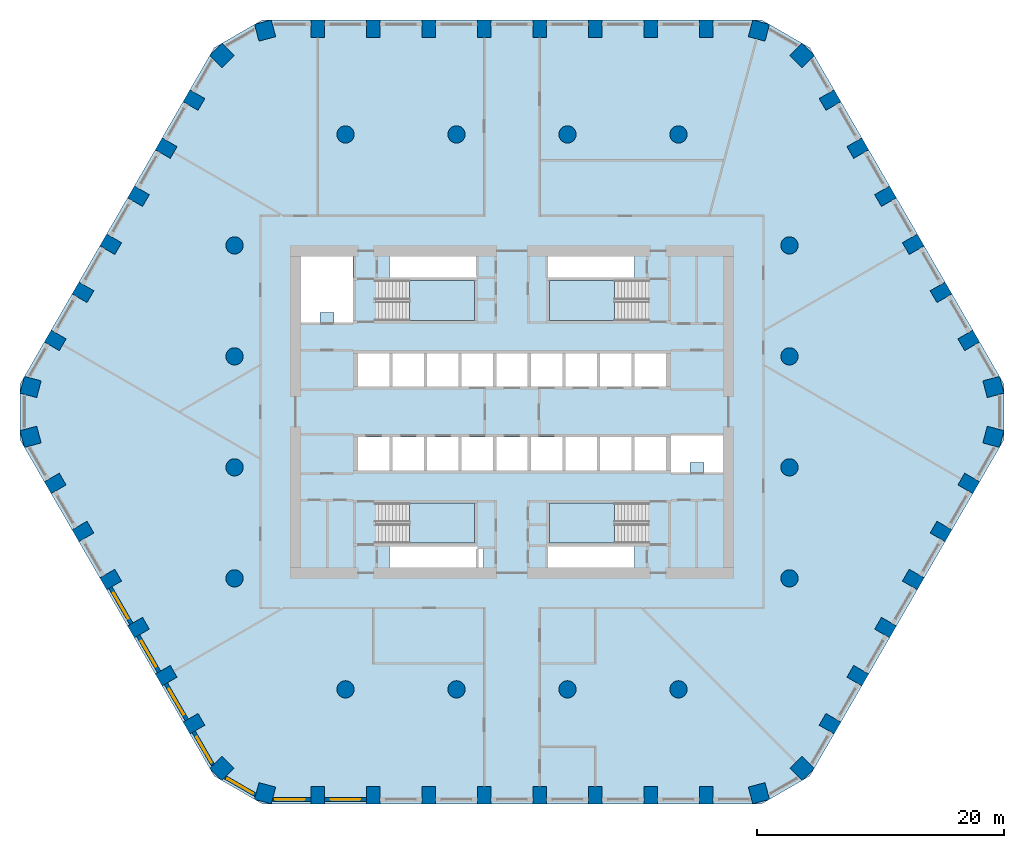
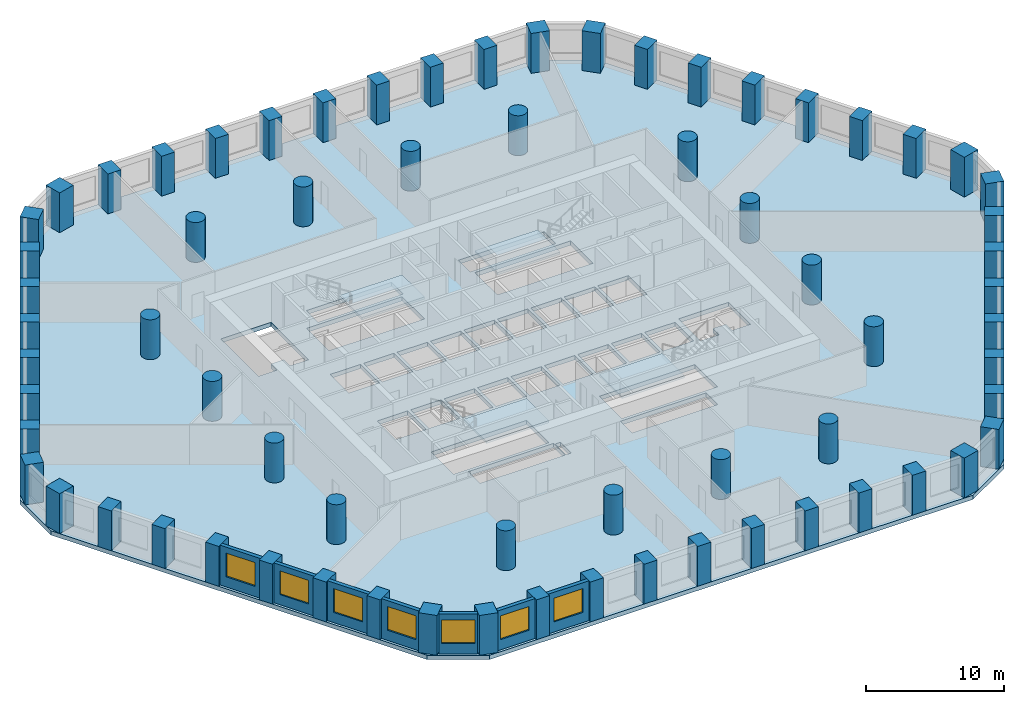
# One storey, part 1 of 10: 68 columns, 7 walls, 7 windows, 5 slabs, 7 openings, 4 elements without a shape of their own.
"""IFC4 building model written with IfcOpenShell, lengths in metres."""

from ifc_helpers import new_model, si_unit, direction, frame, frame_2d, origin, origin_2d, place, context, subcontext, project, spatial, polyline, rectangle, circle, outline, extrude, material, layer, layer_set, material_profile, profile_set, type_object, element, fill, aggregate, save


model = new_model("IFC4")

# Units and contexts
model_context = context("Model", 3, precision=1e-05, world=origin(), true_north=direction((0.0, 1.0)))
body_context = subcontext(model_context, "Body", "Model", "MODEL_VIEW")
ifc_project = project(units=[si_unit("LENGTHUNIT", "METRE"), si_unit("AREAUNIT", "SQUARE_METRE"), si_unit("VOLUMEUNIT", "CUBIC_METRE"), si_unit("PLANEANGLEUNIT", "RADIAN"), si_unit("MASSUNIT", "GRAM", prefix="KILO")], contexts=[model_context])

# Site, building, storey
site_placement = place(None, origin())
site = spatial("IfcSite", under=ifc_project, at=site_placement, CompositionType="ELEMENT")
building_placement = place(site_placement, origin())
building = spatial("IfcBuilding", under=site, at=building_placement, Name="Dhurran Vertical Campus", CompositionType="ELEMENT")
storey_placement = place(building_placement, frame((0.0, 0.0, 49.5)))
storey = spatial("IfcBuildingStorey", under=building, at=storey_placement, Name="L11", CompositionType="ELEMENT", Elevation=49.5)

# Columns
ifc_material_1 = material(Name="Concrete C70/85", Category="concrete")
ifc_material_profile_1 = material_profile(ifc_material_1, rectangle(XDim=1.10009765625, YDim=1.39990234375, at=origin_2d()), Name="RC 1100x1400")
ifc_profile_set_1 = profile_set([ifc_material_profile_1], Name="Concrete C70/85")
column_type_1 = type_object("IfcColumnType", Name="FR COL RC 1100x1400 C70/85", PredefinedType="COLUMN", material=ifc_profile_set_1)
for number, where, z_axis, x_axis, name in (
    (1, (-15.75, -31.079833984375, 0.0), (0.0, 0.0, 1.0), (1.0, 0.0, 0.0), "Perimeter pier PP1.01"),
    (2, (-11.25, -31.079833984375, 0.0), (0.0, 0.0, 1.0), (1.0, 0.0, 0.0), "Perimeter pier PP1.02"),
    (3, (-6.75, -31.079833984375, 0.0), (0.0, 0.0, 1.0), (1.0, 0.0, 0.0), "Perimeter pier PP1.03"),
    (4, (-2.25, -31.079833984375, 0.0), (0.0, 0.0, 1.0), (1.0, 0.0, 0.0), "Perimeter pier PP1.04"),
    (5, (2.25, -31.079833984375, 0.0), (0.0, 0.0, 1.0), (1.0, 0.0, 0.0), "Perimeter pier PP1.05"),
    (6, (6.75, -31.079833984375, 0.0), (0.0, 0.0, 1.0), (1.0, 0.0, 0.0), "Perimeter pier PP1.06"),
    (7, (11.25, -31.079833984375, 0.0), (0.0, 0.0, 1.0), (1.0, 0.0, 0.0), "Perimeter pier PP1.07"),
    (8, (15.75, -31.079833984375, 0.0), (0.0, 0.0, 1.0), (1.0, 0.0, 0.0), "Perimeter pier PP1.08"),
    (9, (25.791015625, -25.28271484375, 0.0), (0.0, 0.0, 1.0), (0.5, 0.866025403784, 0.0), "Perimeter pier PP1.11"),
    (10, (28.041015625, -21.385498046875, 0.0), (0.0, 0.0, 1.0), (0.5, 0.866025403784, 0.0), "Perimeter pier PP1.12"),
    (11, (30.291015625, -17.488525390625, 0.0), (0.0, 0.0, 1.0), (0.5, 0.866025403784, 0.0), "Perimeter pier PP1.13"),
    (12, (32.541015625, -13.59130859375, 0.0), (0.0, 0.0, 1.0), (0.5, 0.866025403784, 0.0), "Perimeter pier PP1.14"),
    (13, (34.791015625, -9.694091796875, 0.0), (0.0, 0.0, 1.0), (0.5, 0.866025403784, 0.0), "Perimeter pier PP1.15"),
    (14, (37.041015625, -5.797119140625, 0.0), (0.0, 0.0, 1.0), (0.5, 0.866025403784, 0.0), "Perimeter pier PP1.16"),
    (15, (37.041015625, 5.797119140625, 0.0), (0.0, 0.0, 1.0), (-0.5, 0.866025403784, 0.0), "Perimeter pier PP1.19"),
    (16, (34.791015625, 9.694091796875, 0.0), (0.0, 0.0, 1.0), (-0.5, 0.866025403784, 0.0), "Perimeter pier PP1.20"),
    (17, (32.541015625, 13.59130859375, 0.0), (0.0, 0.0, 1.0), (-0.5, 0.866025403784, 0.0), "Perimeter pier PP1.21"),
    (18, (30.291015625, 17.488525390625, 0.0), (0.0, 0.0, 1.0), (-0.5, 0.866025403784, 0.0), "Perimeter pier PP1.22"),
    (19, (28.041015625, 21.385498046875, 0.0), (0.0, 0.0, 1.0), (-0.5, 0.866025403784, 0.0), "Perimeter pier PP1.23"),
    (20, (25.791015625, 25.28271484375, 0.0), (0.0, 0.0, 1.0), (-0.5, 0.866025403784, 0.0), "Perimeter pier PP1.24"),
    (21, (15.75, 31.079833984375, 0.0), (0.0, 0.0, 1.0), (-1.0, 0.0, 0.0), "Perimeter pier PP1.27"),
    (22, (11.25, 31.079833984375, 0.0), (0.0, 0.0, 1.0), (-1.0, 0.0, 0.0), "Perimeter pier PP1.28"),
    (23, (6.75, 31.079833984375, 0.0), (0.0, 0.0, 1.0), (-1.0, 0.0, 0.0), "Perimeter pier PP1.29"),
    (24, (2.25, 31.079833984375, 0.0), (0.0, 0.0, 1.0), (-1.0, 0.0, 0.0), "Perimeter pier PP1.30"),
    (25, (-2.25, 31.079833984375, 0.0), (0.0, 0.0, 1.0), (-1.0, 0.0, 0.0), "Perimeter pier PP1.31"),
    (26, (-6.75, 31.079833984375, 0.0), (0.0, 0.0, 1.0), (-1.0, 0.0, 0.0), "Perimeter pier PP1.32"),
    (27, (-11.25, 31.079833984375, 0.0), (0.0, 0.0, 1.0), (-1.0, 0.0, 0.0), "Perimeter pier PP1.33"),
    (28, (-15.75, 31.079833984375, 0.0), (0.0, 0.0, 1.0), (-1.0, 0.0, 0.0), "Perimeter pier PP1.34"),
    (29, (-25.791015625, 25.28271484375, 0.0), (0.0, 0.0, 1.0), (-0.5, -0.866025403784, 0.0), "Perimeter pier PP1.37"),
    (30, (-28.041015625, 21.385498046875, 0.0), (0.0, 0.0, 1.0), (-0.5, -0.866025403784, 0.0), "Perimeter pier PP1.38"),
    (31, (-30.291015625, 17.488525390625, 0.0), (0.0, 0.0, 1.0), (-0.5, -0.866025403784, 0.0), "Perimeter pier PP1.39"),
    (32, (-32.541015625, 13.59130859375, 0.0), (0.0, 0.0, 1.0), (-0.5, -0.866025403784, 0.0), "Perimeter pier PP1.40"),
    (33, (-34.791015625, 9.694091796875, 0.0), (0.0, 0.0, 1.0), (-0.5, -0.866025403784, 0.0), "Perimeter pier PP1.41"),
    (34, (-37.041015625, 5.797119140625, 0.0), (0.0, 0.0, 1.0), (-0.5, -0.866025403784, 0.0), "Perimeter pier PP1.42"),
    (35, (-37.041015625, -5.797119140625, 0.0), (0.0, 0.0, 1.0), (0.5, -0.866025403784, 0.0), "Perimeter pier PP1.45"),
    (36, (-34.791015625, -9.694091796875, 0.0), (0.0, 0.0, 1.0), (0.5, -0.866025403784, 0.0), "Perimeter pier PP1.46"),
    (37, (-32.541015625, -13.59130859375, 0.0), (0.0, 0.0, 1.0), (0.5, -0.866025403784, 0.0), "Perimeter pier PP1.47"),
    (38, (-30.291015625, -17.488525390625, 0.0), (0.0, 0.0, 1.0), (0.5, -0.866025403784, 0.0), "Perimeter pier PP1.48"),
    (39, (-28.041015625, -21.385498046875, 0.0), (0.0, 0.0, 1.0), (0.5, -0.866025403784, 0.0), "Perimeter pier PP1.49"),
    (40, (-25.791015625, -25.28271484375, 0.0), (0.0, 0.0, 1.0), (0.5, -0.866025403784, 0.0), "Perimeter pier PP1.50"),
):
    element("IfcColumn", number, at=place(storey_placement, frame(where, z_axis=z_axis, x_axis=x_axis)), inside=storey, type_object=column_type_1, Name=name, PredefinedType="COLUMN", context=body_context, shape_type="SweptSolid", body=[
        extrude(rectangle(XDim=1.10009765625, YDim=1.39990234375, at=origin_2d()), origin(), (0.0, 0.0, 1.0), 3.52490234375),
    ])
ifc_material_2 = material(Name="Concrete C70/85", Category="concrete")
ifc_material_profile_2 = material_profile(ifc_material_2, rectangle(XDim=1.39990234375, YDim=1.39990234375, at=origin_2d()), Name="RC 1400x1400")
ifc_profile_set_2 = profile_set([ifc_material_profile_2], Name="Concrete C70/85")
column_type_2 = type_object("IfcColumnType", Name="FR COL RC 1400x1400 C70/85", PredefinedType="COLUMN", material=ifc_profile_set_2)
for number, where, z_axis, x_axis, name in (
    (41, (-20.020263671875, -30.922607421875, 0.0), (0.0, 0.0, 1.0), (0.965925826289, -0.258819045103, 0.0), "Perimeter pier PP1.00"),
    (42, (20.020263671875, -30.922607421875, 0.0), (0.0, 0.0, 1.0), (0.965925826289, 0.258819045103, 0.0), "Perimeter pier PP1.09"),
    (43, (23.51953125, -28.902099609375, 0.0), (0.0, 0.0, 1.0), (0.707106781187, 0.707106781187, 0.0), "Perimeter pier PP1.10"),
    (44, (39.039794921875, -2.020263671875, 0.0), (0.0, 0.0, 1.0), (0.258819045103, 0.965925826289, 0.0), "Perimeter pier PP1.17"),
    (45, (39.039794921875, 2.020263671875, 0.0), (0.0, 0.0, 1.0), (-0.258819045103, 0.965925826289, 0.0), "Perimeter pier PP1.18"),
    (46, (23.51953125, 28.902099609375, 0.0), (0.0, 0.0, 1.0), (-0.707106781187, 0.707106781187, 0.0), "Perimeter pier PP1.25"),
    (47, (20.020263671875, 30.922607421875, 0.0), (0.0, 0.0, 1.0), (-0.965925826289, 0.258819045103, 0.0), "Perimeter pier PP1.26"),
    (48, (-20.020263671875, 30.922607421875, 0.0), (0.0, 0.0, 1.0), (-0.965925826289, -0.258819045103, 0.0), "Perimeter pier PP1.35"),
    (49, (-23.51953125, 28.902099609375, 0.0), (0.0, 0.0, 1.0), (-0.707106781187, -0.707106781187, 0.0), "Perimeter pier PP1.36"),
    (50, (-39.039794921875, 2.020263671875, 0.0), (0.0, 0.0, 1.0), (-0.258819045103, -0.965925826289, 0.0), "Perimeter pier PP1.43"),
    (51, (-39.039794921875, -2.020263671875, 0.0), (0.0, 0.0, 1.0), (0.258819045103, -0.965925826289, 0.0), "Perimeter pier PP1.44"),
    (52, (-23.51953125, -28.902099609375, 0.0), (0.0, 0.0, 1.0), (0.707106781187, -0.707106781187, 0.0), "Perimeter pier PP1.51"),
):
    element("IfcColumn", number, at=place(storey_placement, frame(where, z_axis=z_axis, x_axis=x_axis)), inside=storey, type_object=column_type_2, Name=name, PredefinedType="COLUMN", context=body_context, shape_type="SweptSolid", body=[
        extrude(rectangle(XDim=1.39990234375, YDim=1.39990234375, at=origin_2d()), origin(), (0.0, 0.0, 1.0), 3.52490234375),
    ])
ifc_material_3 = material(Name="Concrete C70/85", Category="concrete")
ifc_material_profile_3 = material_profile(ifc_material_3, circle(Radius=0.699951171875, at=origin_2d()), Name="RCC D1400")
ifc_profile_set_3 = profile_set([ifc_material_profile_3], Name="Concrete C70/85")
column_type_3 = type_object("IfcColumnType", Name="FR COL RCC D1400 C70/85", PredefinedType="COLUMN", material=ifc_profile_set_3)
for number, where, z_axis, x_axis, name in (
    (53, (-22.5, -13.5, 0.0), (0.0, 0.0, 1.0), (1.0, 0.0, 0.0), "Inner column IC1-D4"),
    (54, (-22.5, -4.5, 0.0), (0.0, 0.0, 1.0), (1.0, 0.0, 0.0), "Inner column IC1-D5"),
    (55, (-22.5, 4.5, 0.0), (0.0, 0.0, 1.0), (1.0, 0.0, 0.0), "Inner column IC1-D6"),
    (56, (-22.5, 13.5, 0.0), (0.0, 0.0, 1.0), (1.0, 0.0, 0.0), "Inner column IC1-D7"),
    (57, (-13.5, -22.5, 0.0), (0.0, 0.0, 1.0), (1.0, 0.0, 0.0), "Inner column IC1-E3"),
    (58, (-13.5, 22.5, 0.0), (0.0, 0.0, 1.0), (1.0, 0.0, 0.0), "Inner column IC1-E8"),
    (59, (-4.5, -22.5, 0.0), (0.0, 0.0, 1.0), (1.0, 0.0, 0.0), "Inner column IC1-F3"),
    (60, (-4.5, 22.5, 0.0), (0.0, 0.0, 1.0), (1.0, 0.0, 0.0), "Inner column IC1-F8"),
    (61, (4.5, -22.5, 0.0), (0.0, 0.0, 1.0), (1.0, 0.0, 0.0), "Inner column IC1-G3"),
    (62, (4.5, 22.5, 0.0), (0.0, 0.0, 1.0), (1.0, 0.0, 0.0), "Inner column IC1-G8"),
    (63, (13.5, -22.5, 0.0), (0.0, 0.0, 1.0), (1.0, 0.0, 0.0), "Inner column IC1-H3"),
    (64, (13.5, 22.5, 0.0), (0.0, 0.0, 1.0), (1.0, 0.0, 0.0), "Inner column IC1-H8"),
    (65, (22.5, -13.5, 0.0), (0.0, 0.0, 1.0), (1.0, 0.0, 0.0), "Inner column IC1-J4"),
    (66, (22.5, -4.5, 0.0), (0.0, 0.0, 1.0), (1.0, 0.0, 0.0), "Inner column IC1-J5"),
    (67, (22.5, 4.5, 0.0), (0.0, 0.0, 1.0), (1.0, 0.0, 0.0), "Inner column IC1-J6"),
    (68, (22.5, 13.5, 0.0), (0.0, 0.0, 1.0), (1.0, 0.0, 0.0), "Inner column IC1-J7"),
):
    element("IfcColumn", number, at=place(storey_placement, frame(where, z_axis=z_axis, x_axis=x_axis)), inside=storey, type_object=column_type_3, Name=name, PredefinedType="COLUMN", context=body_context, shape_type="SweptSolid", body=[
        extrude(circle(Radius=0.699951171875, at=origin_2d()), origin(), (0.0, 0.0, 1.0), 3.52490234375),
    ])

# Slab
ifc_material_4 = material(Name="Concrete C40/50", Category="concrete")
ifc_layer_1 = layer(ifc_material_4, 0.375)
ifc_layer_set_1 = layer_set([ifc_layer_1], Name="Concrete C40/50")
slab_type_1 = type_object("IfcSlabType", Name="FR POST-TENSIONED FLAT SLAB 375", PredefinedType="FLOOR", material=ifc_layer_set_1)
slab_1_placement = place(storey_placement, frame((0.0, 0.0, -0.375)))
element("IfcSlab", 69, at=slab_1_placement, inside=storey, type_object=slab_type_1, Name="Floor slab L11", PredefinedType="FLOOR", context=body_context, shape_type="SweptSolid", body=[
    extrude(outline(polyline([(-20.25, -31.77978515625), (20.25, -31.77978515625), (24.147216796875, -29.52978515625), (39.897216796875, -2.25), (39.897216796875, 2.25), (24.147216796875, 29.52978515625), (20.25, 31.77978515625), (-20.25, 31.77978515625), (-24.147216796875, 29.52978515625), (-39.897216796875, 2.25), (-39.897216796875, -2.25), (-24.147216796875, -29.52978515625), (-20.25, -31.77978515625)]), holes=[polyline([(-12.47509765625, 2.050048828125), (-9.925048828125, 2.050048828125), (-9.925048828125, 4.75), (-12.47509765625, 4.75), (-12.47509765625, 2.050048828125)]), polyline([(-9.675048828125, 2.050048828125), (-7.125, 2.050048828125), (-7.125, 4.75), (-9.675048828125, 4.75), (-9.675048828125, 2.050048828125)]), polyline([(-6.875, 2.050048828125), (-4.324951171875, 2.050048828125), (-4.324951171875, 4.75), (-6.875, 4.75), (-6.875, 2.050048828125)]), polyline([(-1.27490234375, 2.050048828125), (1.27490234375, 2.050048828125), (1.27490234375, 4.75), (-1.27490234375, 4.75), (-1.27490234375, 2.050048828125)]), polyline([(9.925048828125, 2.050048828125), (12.47509765625, 2.050048828125), (12.47509765625, 4.75), (9.925048828125, 4.75), (9.925048828125, 2.050048828125)]), polyline([(-1.27490234375, -4.75), (1.27490234375, -4.75), (1.27490234375, -2.050048828125), (-1.27490234375, -2.050048828125), (-1.27490234375, -4.75)]), polyline([(1.52490234375, -4.75), (4.074951171875, -4.75), (4.074951171875, -2.050048828125), (1.52490234375, -2.050048828125), (1.52490234375, -4.75)]), polyline([(4.324951171875, -4.75), (6.875, -4.75), (6.875, -2.050048828125), (4.324951171875, -2.050048828125), (4.324951171875, -4.75)]), polyline([(7.125, -4.75), (9.675048828125, -4.75), (9.675048828125, -2.050048828125), (7.125, -2.050048828125), (7.125, -4.75)]), polyline([(9.925048828125, -4.75), (12.47509765625, -4.75), (12.47509765625, -2.050048828125), (9.925048828125, -2.050048828125), (9.925048828125, -4.75)]), polyline([(-4.074951171875, 2.050048828125), (-1.52490234375, 2.050048828125), (-1.52490234375, 4.75), (-4.074951171875, 4.75), (-4.074951171875, 2.050048828125)]), polyline([(1.52490234375, 2.050048828125), (4.074951171875, 2.050048828125), (4.074951171875, 4.75), (1.52490234375, 4.75), (1.52490234375, 2.050048828125)]), polyline([(4.324951171875, 2.050048828125), (6.875, 2.050048828125), (6.875, 4.75), (4.324951171875, 4.75), (4.324951171875, 2.050048828125)]), polyline([(7.125, 2.050048828125), (9.675048828125, 2.050048828125), (9.675048828125, 4.75), (7.125, 4.75), (7.125, 2.050048828125)]), polyline([(-12.47509765625, -4.75), (-9.925048828125, -4.75), (-9.925048828125, -2.050048828125), (-12.47509765625, -2.050048828125), (-12.47509765625, -4.75)]), polyline([(-9.675048828125, -4.75), (-7.125, -4.75), (-7.125, -2.050048828125), (-9.675048828125, -2.050048828125), (-9.675048828125, -4.75)]), polyline([(-6.875, -4.75), (-4.324951171875, -4.75), (-4.324951171875, -2.050048828125), (-6.875, -2.050048828125), (-6.875, -4.75)]), polyline([(-4.074951171875, -4.75), (-1.52490234375, -4.75), (-1.52490234375, -2.050048828125), (-4.074951171875, -2.050048828125), (-4.074951171875, -4.75)]), polyline([(-11.050048828125, 7.39990234375), (-3.050048828125, 7.39990234375), (-3.050048828125, 10.64990234375), (-11.050048828125, 10.64990234375), (-11.050048828125, 7.39990234375)]), polyline([(3.050048828125, 7.39990234375), (11.050048828125, 7.39990234375), (11.050048828125, 10.64990234375), (3.050048828125, 10.64990234375), (3.050048828125, 7.39990234375)]), polyline([(-11.050048828125, -10.64990234375), (-3.050048828125, -10.64990234375), (-3.050048828125, -7.39990234375), (-11.050048828125, -7.39990234375), (-11.050048828125, -10.64990234375)]), polyline([(3.050048828125, -10.64990234375), (11.050048828125, -10.64990234375), (11.050048828125, -7.39990234375), (3.050048828125, -7.39990234375), (3.050048828125, -10.64990234375)]), polyline([(-9.949951171875, 10.89990234375), (-9.949951171875, 12.60009765625), (-2.800048828125, 12.60009765625), (-2.800048828125, 10.89990234375), (-9.949951171875, 10.89990234375)]), polyline([(9.949951171875, 12.60009765625), (9.949951171875, 10.89990234375), (2.800048828125, 10.89990234375), (2.800048828125, 12.60009765625), (9.949951171875, 12.60009765625)]), polyline([(-9.949951171875, -12.60009765625), (-9.949951171875, -10.89990234375), (-2.800048828125, -10.89990234375), (-2.800048828125, -12.60009765625), (-9.949951171875, -12.60009765625)]), polyline([(9.949951171875, -10.89990234375), (9.949951171875, -12.60009765625), (2.800048828125, -12.60009765625), (2.800048828125, -10.89990234375), (9.949951171875, -10.89990234375)]), polyline([(-12.89990234375, 12.60009765625), (-12.89990234375, 7.14990234375), (-14.449951171875, 7.14990234375), (-14.449951171875, 8.050048828125), (-15.550048828125, 8.050048828125), (-15.550048828125, 7.14990234375), (-17.10009765625, 7.14990234375), (-17.10009765625, 12.60009765625), (-12.89990234375, 12.60009765625)]), polyline([(-2.300048828125, -11.02490234375), (-2.300048828125, -12.60009765625), (-2.75, -12.60009765625), (-2.75, -11.02490234375), (-2.300048828125, -11.02490234375)]), polyline([(17.10009765625, -1.800048828125), (17.10009765625, -5.0), (15.550048828125, -5.0), (15.550048828125, -4.10009765625), (14.449951171875, -4.10009765625), (14.449951171875, -5.0), (12.89990234375, -5.0), (12.89990234375, -1.800048828125), (17.10009765625, -1.800048828125)])]), origin(), (0.0, 0.0, 1.0), 0.375),
])

# Stair, slab
ifc_material_5 = material(Name="Concrete C40/50", Category="concrete")
stair_type = type_object("IfcStairType", Name="co-ST-CORE", PredefinedType="HALF_TURN_STAIR", material=ifc_material_5)
stair_1_placement = place(storey_placement, origin())
stair_1 = element("IfcStair", 70, at=stair_1_placement, inside=storey, type_object=stair_type, Name="L11 Protected exit stair ST1", PredefinedType="HALF_TURN_STAIR")
ifc_material_6 = material(Name="Concrete C40/50", Category="concrete")
ifc_layer_2 = layer(ifc_material_6, 0.199951171875)
ifc_layer_set_2 = layer_set([ifc_layer_2], Name="Concrete C40/50")
slab_type_2 = type_object("IfcSlabType", Name="co-SL-LANDING", PredefinedType="LANDING", material=ifc_layer_set_2)
slab_2_placement = place(storey_placement, frame((0.0, 0.0, 1.75)))
slab_2 = element("IfcSlab", 71, at=slab_2_placement, type_object=slab_type_2, Name="ST1 landing 1", PredefinedType="LANDING", context=body_context, shape_type="SweptSolid", body=[
    extrude(outline(polyline([(-8.300048828125, 7.39990234375), (-3.050048828125, 7.39990234375), (-3.050048828125, 10.64990234375), (-8.300048828125, 10.64990234375), (-8.300048828125, 7.39990234375)])), origin(), (0.0, 0.0, 1.0), 0.199951171875),
])
aggregate(stair_1, [slab_2])

stair_2_placement = place(storey_placement, origin())
stair_2 = element("IfcStair", 72, at=stair_2_placement, inside=storey, type_object=stair_type, Name="L11 Protected exit stair ST2", PredefinedType="HALF_TURN_STAIR")
slab_3_placement = place(storey_placement, frame((0.0, 0.0, 1.75)))
slab_3 = element("IfcSlab", 73, at=slab_3_placement, type_object=slab_type_2, Name="ST2 landing 1", PredefinedType="LANDING", context=body_context, shape_type="SweptSolid", body=[
    extrude(outline(polyline([(8.300048828125, 10.64990234375), (3.050048828125, 10.64990234375), (3.050048828125, 7.39990234375), (8.300048828125, 7.39990234375), (8.300048828125, 10.64990234375)])), origin(), (0.0, 0.0, 1.0), 0.199951171875),
])
aggregate(stair_2, [slab_3])

stair_3_placement = place(storey_placement, origin())
stair_3 = element("IfcStair", 74, at=stair_3_placement, inside=storey, type_object=stair_type, Name="L11 Protected exit stair ST3", PredefinedType="HALF_TURN_STAIR")
slab_4_placement = place(storey_placement, frame((0.0, 0.0, 1.75)))
slab_4 = element("IfcSlab", 75, at=slab_4_placement, type_object=slab_type_2, Name="ST3 landing 1", PredefinedType="LANDING", context=body_context, shape_type="SweptSolid", body=[
    extrude(outline(polyline([(-8.300048828125, -10.64990234375), (-3.050048828125, -10.64990234375), (-3.050048828125, -7.39990234375), (-8.300048828125, -7.39990234375), (-8.300048828125, -10.64990234375)])), origin(), (0.0, 0.0, 1.0), 0.199951171875),
])
aggregate(stair_3, [slab_4])

stair_4_placement = place(storey_placement, origin())
stair_4 = element("IfcStair", 76, at=stair_4_placement, inside=storey, type_object=stair_type, Name="L11 Protected exit stair ST4", PredefinedType="HALF_TURN_STAIR")
slab_5_placement = place(storey_placement, frame((0.0, 0.0, 1.75)))
slab_5 = element("IfcSlab", 77, at=slab_5_placement, type_object=slab_type_2, Name="ST4 landing 1", PredefinedType="LANDING", context=body_context, shape_type="SweptSolid", body=[
    extrude(outline(polyline([(8.300048828125, -7.39990234375), (3.050048828125, -7.39990234375), (3.050048828125, -10.64990234375), (8.300048828125, -10.64990234375), (8.300048828125, -7.39990234375)])), origin(), (0.0, 0.0, 1.0), 0.199951171875),
])
aggregate(stair_4, [slab_5])

# Wall, opening, window
ifc_material_7 = material(Name="Precast concrete C50/60", Category="concrete")
ifc_layer_3 = layer(ifc_material_7, 0.300048828125)
ifc_layer_set_3 = layer_set([ifc_layer_3], Name="Precast concrete C50/60")
wall_type = type_object("IfcWallType", Name="Precast spandrel wall 300", PredefinedType="SOLIDWALL", material=ifc_layer_set_3)
wall_1_placement = place(storey_placement, frame((-19.39111328125, -31.4296875, 0.0), z_axis=(0.0, 0.0, 1.0), x_axis=(1.0, 0.0, 0.0)))
wall_1 = element("IfcWall", 78, at=wall_1_placement, inside=storey, type_object=wall_type, Name="EW1 L11.00", PredefinedType="SOLIDWALL", context=body_context, shape_type="SweptSolid", body=[
    extrude(rectangle(XDim=3.090576171875, YDim=0.300048828125, at=frame_2d((1.54541015625, 0.0))), origin(), (0.0, 0.0, 1.0), 3.52490234375),
])
opening_1_placement = place(wall_1_placement, frame((0.191162109375, 0.0, 0.89990234375)))
opening_1 = element("IfcOpeningElement", 79, at=opening_1_placement, cuts=wall_1, Name="Opening WT1", PredefinedType="OPENING", context=body_context, shape_type="SweptSolid", body=[
    extrude(rectangle(XDim=2.39990234375, YDim=2.10009765625, at=frame_2d((1.199951171875, 1.050048828125))), frame((0.0, 0.159912109375, 0.0), z_axis=(0.0, -1.0, 0.0), x_axis=(1.0, 0.0, 0.0)), (0.0, 0.0, 1.0), 0.320068359375),
])
ifc_material_8 = material(Name="Aluminium frame with solar-control glass", Category="aluminium")
window_type = type_object("IfcWindowType", Name="Punched window 2400 x 2100", PartitioningType="SINGLE_PANEL", PredefinedType="WINDOW", material=ifc_material_8)
window_1_placement = place(opening_1_placement, origin())
window_1 = element("IfcWindow", 80, at=window_1_placement, inside=storey, type_object=window_type, Name="WT1 L11.00", OverallHeight=2.10009765625, OverallWidth=2.39990234375, PartitioningType="SINGLE_PANEL", PredefinedType="WINDOW", context=body_context, shape_type="SweptSolid", body=[
    extrude(rectangle(XDim=2.39990234375, YDim=2.10009765625, at=frame_2d((1.199951171875, 1.050048828125))), frame((0.0, 0.030029296875, 0.0), z_axis=(0.0, -1.0, 0.0), x_axis=(1.0, 0.0, 0.0)), (0.0, 0.0, 1.0), 0.06005859375),
])
fill(opening_1, window_1)

wall_2_placement = place(storey_placement, frame((-15.199462890625, -31.4296875, 0.0), z_axis=(0.0, 0.0, 1.0), x_axis=(1.0, 0.0, 0.0)))
wall_2 = element("IfcWall", 81, at=wall_2_placement, inside=storey, type_object=wall_type, Name="EW1 L11.01", PredefinedType="SOLIDWALL", context=body_context, shape_type="SweptSolid", body=[
    extrude(rectangle(XDim=3.39892578125, YDim=0.300048828125, at=frame_2d((1.699462890625, 0.0))), origin(), (0.0, 0.0, 1.0), 3.52490234375),
])
opening_2_placement = place(wall_2_placement, frame((0.49951171875, 0.0, 0.89990234375)))
opening_2 = element("IfcOpeningElement", 82, at=opening_2_placement, cuts=wall_2, Name="Opening WT1", PredefinedType="OPENING", context=body_context, shape_type="SweptSolid", body=[
    extrude(rectangle(XDim=2.39990234375, YDim=2.10009765625, at=frame_2d((1.199951171875, 1.050048828125))), frame((0.0, 0.159912109375, 0.0), z_axis=(0.0, -1.0, 0.0), x_axis=(1.0, 0.0, 0.0)), (0.0, 0.0, 1.0), 0.320068359375),
])
window_2_placement = place(opening_2_placement, origin())
window_2 = element("IfcWindow", 83, at=window_2_placement, inside=storey, type_object=window_type, Name="WT1 L11.01", OverallHeight=2.10009765625, OverallWidth=2.39990234375, PartitioningType="SINGLE_PANEL", PredefinedType="WINDOW", context=body_context, shape_type="SweptSolid", body=[
    extrude(rectangle(XDim=2.39990234375, YDim=2.10009765625, at=frame_2d((1.199951171875, 1.050048828125))), frame((0.0, 0.030029296875, 0.0), z_axis=(0.0, -1.0, 0.0), x_axis=(1.0, 0.0, 0.0)), (0.0, 0.0, 1.0), 0.06005859375),
])
fill(opening_2, window_2)

wall_3_placement = place(storey_placement, frame((-32.56884765625, -14.2431640625, 0.0), z_axis=(0.0, 0.0, 1.0), x_axis=(0.499993955907, -0.866028893315, 0.0)))
wall_3 = element("IfcWall", 84, at=wall_3_placement, inside=storey, type_object=wall_type, Name="EW1 L11.47", PredefinedType="SOLIDWALL", context=body_context, shape_type="SweptSolid", body=[
    extrude(rectangle(XDim=3.39892578125, YDim=0.300048828125, at=frame_2d((1.699462890625, 0.0))), origin(), (0.0, 0.0, 1.0), 3.52490234375),
])
opening_3_placement = place(wall_3_placement, frame((0.49951171875, 0.0, 0.89990234375)))
opening_3 = element("IfcOpeningElement", 85, at=opening_3_placement, cuts=wall_3, Name="Opening WT1", PredefinedType="OPENING", context=body_context, shape_type="SweptSolid", body=[
    extrude(rectangle(XDim=2.39990234375, YDim=2.10009765625, at=frame_2d((1.199951171875, 1.050048828125))), frame((0.0, 0.159912109375, 0.0), z_axis=(0.0, -1.0, 0.0), x_axis=(1.0, 0.0, 0.0)), (0.0, 0.0, 1.0), 0.320068359375),
])
window_3_placement = place(opening_3_placement, origin())
window_3 = element("IfcWindow", 86, at=window_3_placement, inside=storey, type_object=window_type, Name="WT1 L11.47", OverallHeight=2.10009765625, OverallWidth=2.39990234375, PartitioningType="SINGLE_PANEL", PredefinedType="WINDOW", context=body_context, shape_type="SweptSolid", body=[
    extrude(rectangle(XDim=2.39990234375, YDim=2.10009765625, at=frame_2d((1.199951171875, 1.050048828125))), frame((0.0, 0.030029296875, 0.0), z_axis=(0.0, -1.0, 0.0), x_axis=(1.0, 0.0, 0.0)), (0.0, 0.0, 1.0), 0.06005859375),
])
fill(opening_3, window_3)

wall_4_placement = place(storey_placement, frame((-30.31884765625, -18.14013671875, 0.0), z_axis=(0.0, 0.0, 1.0), x_axis=(0.499993955907, -0.866028893315, 0.0)))
wall_4 = element("IfcWall", 87, at=wall_4_placement, inside=storey, type_object=wall_type, Name="EW1 L11.48", PredefinedType="SOLIDWALL", context=body_context, shape_type="SweptSolid", body=[
    extrude(rectangle(XDim=3.39892578125, YDim=0.300048828125, at=frame_2d((1.699462890625, 0.0))), origin(), (0.0, 0.0, 1.0), 3.52490234375),
])
opening_4_placement = place(wall_4_placement, frame((0.49951171875, 0.0, 0.89990234375)))
opening_4 = element("IfcOpeningElement", 88, at=opening_4_placement, cuts=wall_4, Name="Opening WT1", PredefinedType="OPENING", context=body_context, shape_type="SweptSolid", body=[
    extrude(rectangle(XDim=2.39990234375, YDim=2.10009765625, at=frame_2d((1.199951171875, 1.050048828125))), frame((0.0, 0.159912109375, 0.0), z_axis=(0.0, -1.0, 0.0), x_axis=(1.0, 0.0, 0.0)), (0.0, 0.0, 1.0), 0.320068359375),
])
window_4_placement = place(opening_4_placement, origin())
window_4 = element("IfcWindow", 89, at=window_4_placement, inside=storey, type_object=window_type, Name="WT1 L11.48", OverallHeight=2.10009765625, OverallWidth=2.39990234375, PartitioningType="SINGLE_PANEL", PredefinedType="WINDOW", context=body_context, shape_type="SweptSolid", body=[
    extrude(rectangle(XDim=2.39990234375, YDim=2.10009765625, at=frame_2d((1.199951171875, 1.050048828125))), frame((0.0, 0.030029296875, 0.0), z_axis=(0.0, -1.0, 0.0), x_axis=(1.0, 0.0, 0.0)), (0.0, 0.0, 1.0), 0.06005859375),
])
fill(opening_4, window_4)

wall_5_placement = place(storey_placement, frame((-28.06884765625, -22.037353515625, 0.0), z_axis=(0.0, 0.0, 1.0), x_axis=(0.499993955907, -0.866028893315, 0.0)))
wall_5 = element("IfcWall", 90, at=wall_5_placement, inside=storey, type_object=wall_type, Name="EW1 L11.49", PredefinedType="SOLIDWALL", context=body_context, shape_type="SweptSolid", body=[
    extrude(rectangle(XDim=3.39892578125, YDim=0.300048828125, at=frame_2d((1.699462890625, 0.0))), origin(), (0.0, 0.0, 1.0), 3.52490234375),
])
opening_5_placement = place(wall_5_placement, frame((0.49951171875, 0.0, 0.89990234375)))
opening_5 = element("IfcOpeningElement", 91, at=opening_5_placement, cuts=wall_5, Name="Opening WT1", PredefinedType="OPENING", context=body_context, shape_type="SweptSolid", body=[
    extrude(rectangle(XDim=2.39990234375, YDim=2.10009765625, at=frame_2d((1.199951171875, 1.050048828125))), frame((0.0, 0.159912109375, 0.0), z_axis=(0.0, -1.0, 0.0), x_axis=(1.0, 0.0, 0.0)), (0.0, 0.0, 1.0), 0.320068359375),
])
window_5_placement = place(opening_5_placement, origin())
window_5 = element("IfcWindow", 92, at=window_5_placement, inside=storey, type_object=window_type, Name="WT1 L11.49", OverallHeight=2.10009765625, OverallWidth=2.39990234375, PartitioningType="SINGLE_PANEL", PredefinedType="WINDOW", context=body_context, shape_type="SweptSolid", body=[
    extrude(rectangle(XDim=2.39990234375, YDim=2.10009765625, at=frame_2d((1.199951171875, 1.050048828125))), frame((0.0, 0.030029296875, 0.0), z_axis=(0.0, -1.0, 0.0), x_axis=(1.0, 0.0, 0.0)), (0.0, 0.0, 1.0), 0.06005859375),
])
fill(opening_5, window_5)

wall_6_placement = place(storey_placement, frame((-25.81884765625, -25.934326171875, 0.0), z_axis=(0.0, 0.0, 1.0), x_axis=(0.499995950774, -0.866027741594, 0.0)))
wall_6 = element("IfcWall", 93, at=wall_6_placement, inside=storey, type_object=wall_type, Name="EW1 L11.50", PredefinedType="SOLIDWALL", context=body_context, shape_type="SweptSolid", body=[
    extrude(rectangle(XDim=3.0908203125, YDim=0.300048828125, at=frame_2d((1.54541015625, 0.0))), origin(), (0.0, 0.0, 1.0), 3.52490234375),
])
opening_6_placement = place(wall_6_placement, frame((0.49951171875, 0.0, 0.89990234375)))
opening_6 = element("IfcOpeningElement", 94, at=opening_6_placement, cuts=wall_6, Name="Opening WT1", PredefinedType="OPENING", context=body_context, shape_type="SweptSolid", body=[
    extrude(rectangle(XDim=2.39990234375, YDim=2.10009765625, at=frame_2d((1.199951171875, 1.050048828125))), frame((0.0, 0.159912109375, 0.0), z_axis=(0.0, -1.0, 0.0), x_axis=(1.0, 0.0, 0.0)), (0.0, 0.0, 1.0), 0.320068359375),
])
window_6_placement = place(opening_6_placement, origin())
window_6 = element("IfcWindow", 95, at=window_6_placement, inside=storey, type_object=window_type, Name="WT1 L11.50", OverallHeight=2.10009765625, OverallWidth=2.39990234375, PartitioningType="SINGLE_PANEL", PredefinedType="WINDOW", context=body_context, shape_type="SweptSolid", body=[
    extrude(rectangle(XDim=2.39990234375, YDim=2.10009765625, at=frame_2d((1.199951171875, 1.050048828125))), frame((0.0, 0.030029296875, 0.0), z_axis=(0.0, -1.0, 0.0), x_axis=(1.0, 0.0, 0.0)), (0.0, 0.0, 1.0), 0.06005859375),
])
fill(opening_6, window_6)

wall_7_placement = place(storey_placement, frame((-23.228271484375, -29.656005859375, 0.0), z_axis=(0.0, 0.0, 1.0), x_axis=(0.866020456713, -0.500008568482, 0.0)))
wall_7 = element("IfcWall", 96, at=wall_7_placement, inside=storey, type_object=wall_type, Name="EW1 L11.51", PredefinedType="SOLIDWALL", context=body_context, shape_type="SweptSolid", body=[
    extrude(rectangle(XDim=2.7822265625, YDim=0.300048828125, at=frame_2d((1.39111328125, 0.0))), origin(), (0.0, 0.0, 1.0), 3.52490234375),
])
opening_7_placement = place(wall_7_placement, frame((0.191162109375, 0.0, 0.89990234375)))
opening_7 = element("IfcOpeningElement", 97, at=opening_7_placement, cuts=wall_7, Name="Opening WT1", PredefinedType="OPENING", context=body_context, shape_type="SweptSolid", body=[
    extrude(rectangle(XDim=2.39990234375, YDim=2.10009765625, at=frame_2d((1.199951171875, 1.050048828125))), frame((0.0, 0.159912109375, 0.0), z_axis=(0.0, -1.0, 0.0), x_axis=(1.0, 0.0, 0.0)), (0.0, 0.0, 1.0), 0.320068359375),
])
window_7_placement = place(opening_7_placement, origin())
window_7 = element("IfcWindow", 98, at=window_7_placement, inside=storey, type_object=window_type, Name="WT1 L11.51", OverallHeight=2.10009765625, OverallWidth=2.39990234375, PartitioningType="SINGLE_PANEL", PredefinedType="WINDOW", context=body_context, shape_type="SweptSolid", body=[
    extrude(rectangle(XDim=2.39990234375, YDim=2.10009765625, at=frame_2d((1.199951171875, 1.050048828125))), frame((0.0, 0.030029296875, 0.0), z_axis=(0.0, -1.0, 0.0), x_axis=(1.0, 0.0, 0.0)), (0.0, 0.0, 1.0), 0.06005859375),
])
fill(opening_7, window_7)

save(model, "model.ifc")
